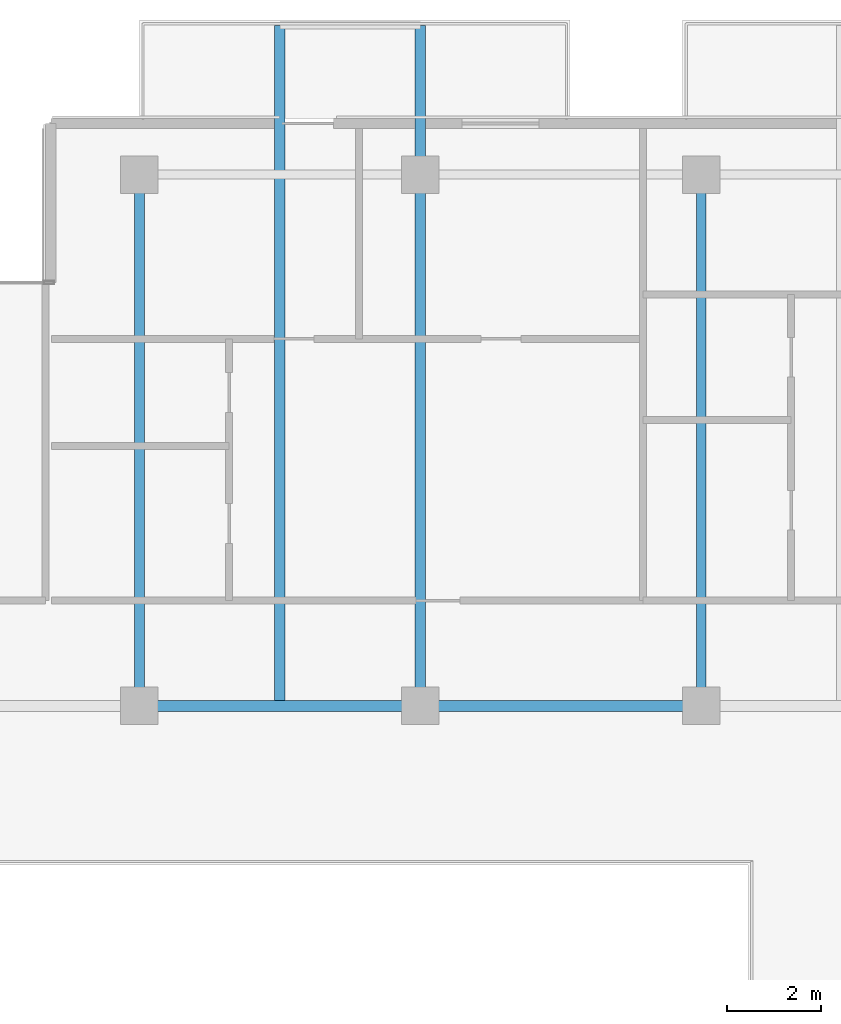
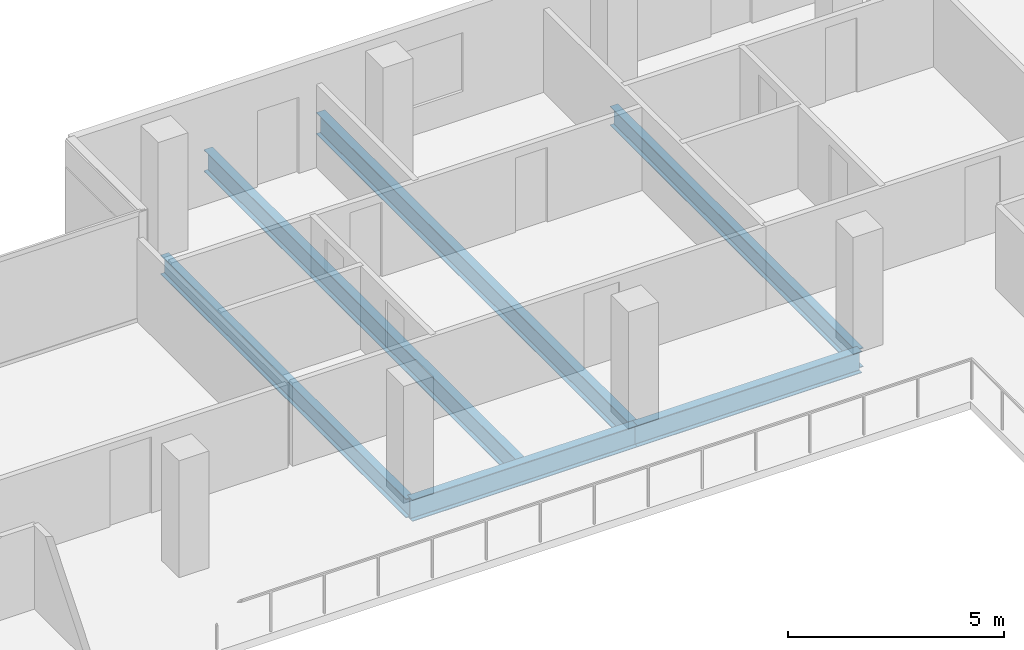
# One storey, part 11 of 28: 6 beams.
"""IFC4 building model written with IfcOpenShell, lengths in metres."""

from ifc_helpers import new_model, si_unit, direction, frame, origin, origin_2d, place, context, subcontext, project, spatial, i_section, extrude, material, material_profile, profile_set, type_object, element, save


model = new_model("IFC4")

# Units and contexts
model_context = context("Model", 3, precision=1e-05, world=origin(), true_north=direction((0.0, 1.0)))
body_context = subcontext(model_context, "Body", "Model", "MODEL_VIEW")
ifc_project = project(units=[si_unit("LENGTHUNIT", "METRE"), si_unit("AREAUNIT", "SQUARE_METRE"), si_unit("VOLUMEUNIT", "CUBIC_METRE"), si_unit("PLANEANGLEUNIT", "RADIAN"), si_unit("MASSUNIT", "GRAM", prefix="KILO")], contexts=[model_context])

# Site, building, storey
site_placement = place(None, origin())
site = spatial("IfcSite", under=ifc_project, at=site_placement, CompositionType="ELEMENT")
building_placement = place(site_placement, origin())
building = spatial("IfcBuilding", under=site, at=building_placement, Name="Tanjung Sevakor Pilgrim Tower", CompositionType="ELEMENT")
storey_placement = place(building_placement, frame((0.0, 0.0, 185.1298828125)))
storey = spatial("IfcBuildingStorey", under=building, at=storey_placement, Name="L51", CompositionType="ELEMENT", Elevation=185.1298828125)

# Beams
ifc_material_1 = material(Name="Steel S355J2", Category="steel")
ifc_material_profile_1 = material_profile(ifc_material_1, i_section(OverallWidth=0.22900390625, OverallDepth=0.6123046875, WebThickness=0.011962890625, FlangeThickness=0.01953125, FilletRadius=0.0126953125, at=origin_2d()))
ifc_profile_set_1 = profile_set([ifc_material_profile_1], Name="Steel S355J2")
beam_type_1 = type_object("IfcBeamType", Name="BM-B-G4-UB_610x229x125", PredefinedType="BEAM", material=ifc_profile_set_1)
for number, where, z_axis, x_axis, name in (
    (1, (54.0, 42.60009765625, -0.52587890625), (1.0, 0.0, 0.0), (0.0, 1.0, 0.0), "L51 Primary Floor Girder MAIN Y426-05"),
    (2, (60.0, 42.60009765625, -0.52587890625), (1.0, 0.0, 0.0), (0.0, 1.0, 0.0), "L51 Primary Floor Girder MAIN Y426-06"),
):
    element("IfcBeam", number, at=place(storey_placement, frame(where, z_axis=z_axis, x_axis=x_axis)), inside=storey, type_object=beam_type_1, Name=name, PredefinedType="BEAM", context=body_context, shape_type="SweptSolid", body=[
        extrude(i_section(OverallWidth=0.22900390625, OverallDepth=0.6123046875, WebThickness=0.011962890625, FlangeThickness=0.01953125, FilletRadius=0.0126953125, at=origin_2d()), origin(), (0.0, 0.0, 1.0), 6.0),
    ])
beam_1_placement = place(storey_placement, frame((57.0, 42.714599609375, -0.52587890625), z_axis=(0.0, 1.0, 0.0), x_axis=(-1.0, 0.0, 0.0)))
element("IfcBeam", 3, at=beam_1_placement, inside=storey, type_object=beam_type_1, Name="L51 Balcony Cantilever Beam MAIN-N2-1", PredefinedType="BEAM", context=body_context, shape_type="SweptSolid", body=[
    extrude(i_section(OverallWidth=0.22900390625, OverallDepth=0.6123046875, WebThickness=0.011962890625, FlangeThickness=0.01953125, FilletRadius=0.0126953125, at=origin_2d()), origin(), (0.0, 0.0, 1.0), 14.415283203125),
])
beam_2_placement = place(storey_placement, frame((60.0, 42.60009765625, -0.52587890625), z_axis=(0.0, 1.0, 0.0), x_axis=(-1.0, 0.0, 0.0)))
element("IfcBeam", 4, at=beam_2_placement, inside=storey, type_object=beam_type_1, Name="L51 Balcony Cantilever Beam MAIN-N2-2", PredefinedType="BEAM", context=body_context, shape_type="SweptSolid", body=[
    extrude(i_section(OverallWidth=0.22900390625, OverallDepth=0.6123046875, WebThickness=0.011962890625, FlangeThickness=0.01953125, FilletRadius=0.0126953125, at=origin_2d()), origin(), (0.0, 0.0, 1.0), 14.52978515625),
])
ifc_material_2 = material(Name="Steel S355J2", Category="steel")
ifc_material_profile_2 = material_profile(ifc_material_2, i_section(OverallWidth=0.2119140625, OverallDepth=0.54443359375, WebThickness=0.0126953125, FlangeThickness=0.021240234375, FilletRadius=0.0126953125, at=origin_2d()))
ifc_profile_set_2 = profile_set([ifc_material_profile_2], Name="Steel S355J2")
beam_type_2 = type_object("IfcBeamType", Name="BM-B-G5-UB_533x210x122", PredefinedType="BEAM", material=ifc_profile_set_2)
for number, where, z_axis, x_axis, name in (
    (5, (54.0, 42.60009765625, -0.4921875), (0.0, 1.0, 0.0), (-1.0, 0.0, 0.0), "L51 MAIN Girder 009"),
    (6, (66.0, 42.60009765625, -0.4921875), (0.0, 1.0, 0.0), (-1.0, 0.0, 0.0), "L51 MAIN Girder 011"),
):
    element("IfcBeam", number, at=place(storey_placement, frame(where, z_axis=z_axis, x_axis=x_axis)), inside=storey, type_object=beam_type_2, Name=name, PredefinedType="BEAM", context=body_context, shape_type="SweptSolid", body=[
        extrude(i_section(OverallWidth=0.2119140625, OverallDepth=0.54443359375, WebThickness=0.0126953125, FlangeThickness=0.021240234375, FilletRadius=0.0126953125, at=origin_2d()), origin(), (0.0, 0.0, 1.0), 11.349853515625),
    ])

save(model, "model.ifc")
